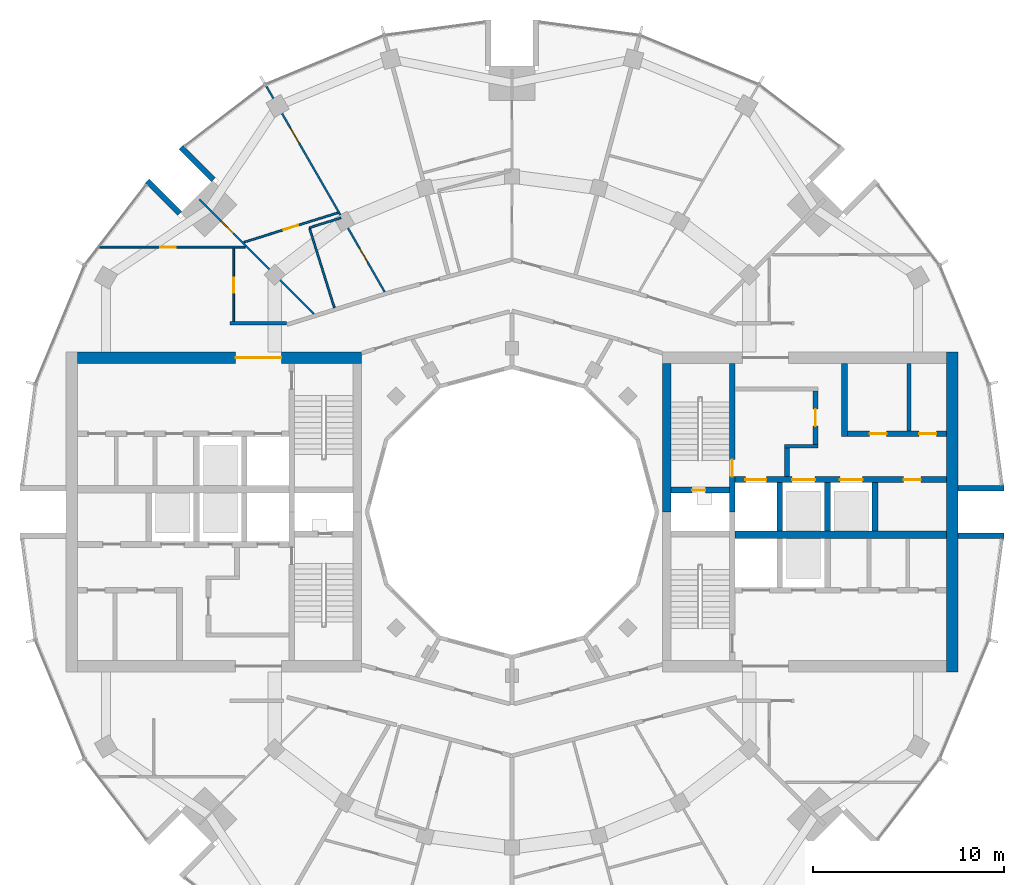
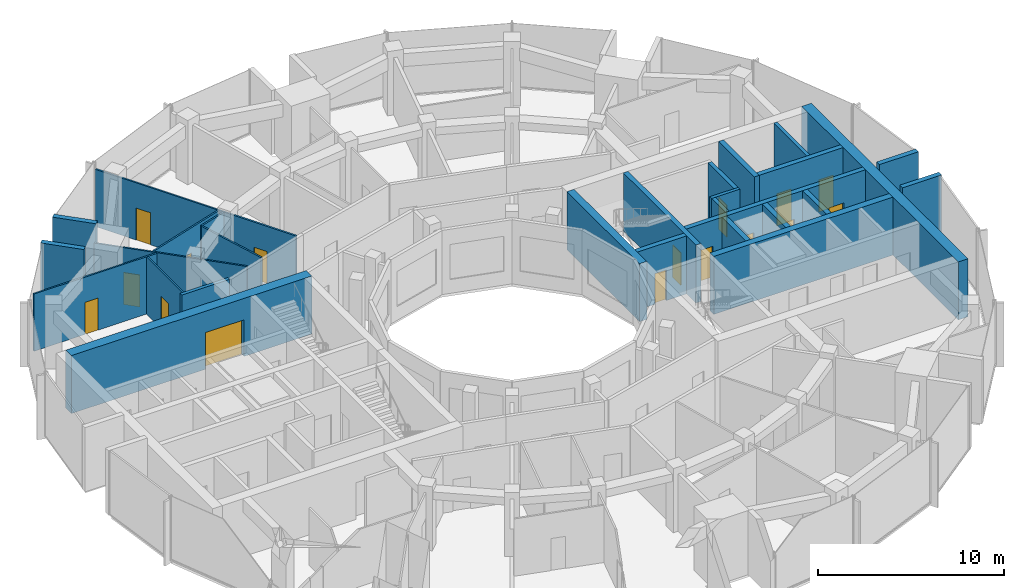
# One storey, part 11 of 15: 28 walls, 16 doors, 16 openings.
"""IFC4 building model written with IfcOpenShell, lengths in metres."""

from ifc_helpers import new_model, si_unit, direction, frame, frame_2d, origin, place, context, subcontext, project, spatial, rectangle, extrude, material, layer, layer_set, type_object, element, fill, save


model = new_model("IFC4")

# Units and contexts
model_context = context("Model", 3, precision=1e-05, world=origin(), true_north=direction((0.0, 1.0)))
body_context = subcontext(model_context, "Body", "Model", "MODEL_VIEW")
ifc_project = project(units=[si_unit("LENGTHUNIT", "METRE"), si_unit("AREAUNIT", "SQUARE_METRE"), si_unit("VOLUMEUNIT", "CUBIC_METRE"), si_unit("PLANEANGLEUNIT", "RADIAN"), si_unit("MASSUNIT", "GRAM", prefix="KILO")], contexts=[model_context])

# Site, building, storey
site_placement = place(None, origin())
site = spatial("IfcSite", under=ifc_project, at=site_placement, CompositionType="ELEMENT")
building_placement = place(site_placement, origin())
building = spatial("IfcBuilding", under=site, at=building_placement, Name="Torre Brocal", CompositionType="ELEMENT")
storey_placement = place(building_placement, frame((0.0, 0.0, 225.10009765625)))
storey = spatial("IfcBuildingStorey", under=building, at=storey_placement, Name="L52", CompositionType="ELEMENT", Elevation=225.10009765625)

# Walls
ifc_material_1 = material(Name="Masonry block", Category="masonry")
ifc_layer_1 = layer(ifc_material_1, 0.199951171875)
ifc_layer_set_1 = layer_set([ifc_layer_1], Name="Masonry block")
wall_type_1 = type_object("IfcWallType", Name="CORE PARTITION 200 UNDER 400 SLAB", PredefinedType="PARTITIONING", material=ifc_layer_set_1)
wall_1_placement = place(storey_placement, frame((100.823974609375, 79.25, 0.0), z_axis=(0.0, 0.0, 1.0), x_axis=(0.0, 1.0, 0.0)))
element("IfcWall", 1, at=wall_1_placement, inside=storey, type_object=wall_type_1, Name="Wall CP200-S400", PredefinedType="PARTITIONING", context=body_context, shape_type="SweptSolid", body=[
    extrude(rectangle(XDim=3.550048828125, YDim=0.199951171875, at=frame_2d((1.77490234375, 0.0))), origin(), (0.0, 0.0, 1.0), 3.7998046875),
])
ifc_material_2 = material(Name="Concrete C60", Category="concrete")
ifc_layer_2 = layer(ifc_material_2, 0.199951171875)
ifc_layer_set_2 = layer_set([ifc_layer_2], Name="Concrete C60")
wall_type_2 = type_object("IfcWallType", Name="CORE WALL 200 C60 UNDER 400 SLAB", PredefinedType="SHEAR", material=ifc_layer_set_2)
wall_2_placement = place(storey_placement, frame((94.300048828125, 78.449951171875, 0.0), z_axis=(0.0, 0.0, 1.0), x_axis=(1.0, 0.0, 0.0)))
element("IfcWall", 2, at=wall_2_placement, inside=storey, type_object=wall_type_2, Name="Wall CW200-60-S400", PredefinedType="SHEAR", context=body_context, shape_type="SweptSolid", body=[
    extrude(rectangle(XDim=1.75, YDim=0.199951171875, at=frame_2d((0.875, 0.0))), origin(), (0.0, 0.0, 1.0), 3.7998046875),
])

# Wall, opening, door
ifc_material_3 = material(Name="Concrete C60", Category="concrete")
ifc_layer_3 = layer(ifc_material_3, 0.25)
ifc_layer_set_3 = layer_set([ifc_layer_3], Name="Concrete C60")
wall_type_3 = type_object("IfcWallType", Name="CORE WALL 250 C60 UNDER 400 SLAB", PredefinedType="SHEAR", material=ifc_layer_set_3)
wall_3_placement = place(storey_placement, frame((95.925048828125, 78.550048828125, 0.0), z_axis=(0.0, 0.0, 1.0), x_axis=(0.0, 1.0, 0.0)))
wall_3 = element("IfcWall", 3, at=wall_3_placement, inside=storey, type_object=wall_type_3, Name="Wall CW250-60-S400", PredefinedType="SHEAR", context=body_context, shape_type="SweptSolid", body=[
    extrude(rectangle(XDim=2.800048828125, YDim=0.25, at=frame_2d((1.39990234375, 0.0))), origin(), (0.0, 0.0, 1.0), 3.7998046875),
])
opening_1_placement = place(wall_3_placement, frame((0.949951171875, 0.0, 0.0)))
opening_1 = element("IfcOpeningElement", 4, at=opening_1_placement, cuts=wall_3, Name="Opening E-D08", PredefinedType="OPENING", context=body_context, shape_type="SweptSolid", body=[
    extrude(rectangle(XDim=0.89990234375, YDim=2.10009765625, at=frame_2d((0.449951171875, 1.050048828125))), frame((0.0, 0.135009765625, 0.0), z_axis=(0.0, -1.0, 0.0), x_axis=(1.0, 0.0, 0.0)), (0.0, 0.0, 1.0), 0.27001953125),
])
ifc_material_4 = material(Name="Steel A653", Category="steel")
door_type_1 = type_object("IfcDoorType", Name="LOBBY DOOR FD120 900X2100", OperationType="SINGLE_SWING_RIGHT", PredefinedType="DOOR", material=ifc_material_4)
door_1_placement = place(opening_1_placement, origin())
door_1 = element("IfcDoor", 5, at=door_1_placement, inside=storey, type_object=door_type_1, Name="Door E-D08", OperationType="SINGLE_SWING_LEFT", OverallHeight=2.10009765625, OverallWidth=0.89990234375, PredefinedType="DOOR", context=body_context, shape_type="SweptSolid", body=[
    extrude(rectangle(XDim=0.89990234375, YDim=2.10009765625, at=frame_2d((0.449951171875, 1.050048828125))), frame((0.0, 0.02490234375, 0.0), z_axis=(0.0, -1.0, 0.0), x_axis=(1.0, 0.0, 0.0)), (0.0, 0.0, 1.0), 0.050048828125),
])
fill(opening_1, door_1)

# Wall
wall_4_placement = place(storey_placement, frame((94.425048828125, 76.85009765625, 0.0), z_axis=(0.0, 0.0, 1.0), x_axis=(0.0, 1.0, 0.0)))
element("IfcWall", 6, at=wall_4_placement, inside=storey, type_object=wall_type_3, Name="Wall CW250-60-S400", PredefinedType="SHEAR", context=body_context, shape_type="SweptSolid", body=[
    extrude(rectangle(XDim=1.5, YDim=0.25, at=frame_2d((0.75, 0.0))), origin(), (0.0, 0.0, 1.0), 3.7998046875),
])

# Wall, opening, door
ifc_material_5 = material(Name="Concrete C60", Category="concrete")
ifc_layer_4 = layer(ifc_material_5, 0.300048828125)
ifc_layer_set_4 = layer_set([ifc_layer_4], Name="Concrete C60")
wall_type_4 = type_object("IfcWallType", Name="CORE WALL 300 C60 UNDER 400 SLAB", PredefinedType="SHEAR", material=ifc_layer_set_4)
wall_5_placement = place(storey_placement, frame((91.550048828125, 75.0, 0.0), z_axis=(0.0, 0.0, 1.0), x_axis=(0.0, 1.0, 0.0)))
wall_5 = element("IfcWall", 7, at=wall_5_placement, inside=storey, type_object=wall_type_4, Name="Wall CW300-60-S400", PredefinedType="SHEAR", context=body_context, shape_type="SweptSolid", body=[
    extrude(rectangle(XDim=7.800048828125, YDim=0.300048828125, at=frame_2d((3.89990234375, 0.0))), origin(), (0.0, 0.0, 1.0), 3.7998046875),
])
opening_2_placement = place(wall_5_placement, frame((1.85009765625, 0.0, 0.0)))
opening_2 = element("IfcOpeningElement", 8, at=opening_2_placement, cuts=wall_5, Name="Opening E-D02", PredefinedType="OPENING", context=body_context, shape_type="SweptSolid", body=[
    extrude(rectangle(XDim=0.89990234375, YDim=2.10009765625, at=frame_2d((0.449951171875, 1.050048828125))), frame((0.0, 0.159912109375, 0.0), z_axis=(0.0, -1.0, 0.0), x_axis=(1.0, 0.0, 0.0)), (0.0, 0.0, 1.0), 0.320068359375),
])
ifc_material_6 = material(Name="Steel A653", Category="steel")
door_type_2 = type_object("IfcDoorType", Name="STAIR DOOR FD120 900X2100", OperationType="SINGLE_SWING_RIGHT", PredefinedType="DOOR", material=ifc_material_6)
door_2_placement = place(opening_2_placement, origin())
door_2 = element("IfcDoor", 9, at=door_2_placement, inside=storey, type_object=door_type_2, Name="Door E-D02", OperationType="SINGLE_SWING_LEFT", OverallHeight=2.10009765625, OverallWidth=0.89990234375, PredefinedType="DOOR", context=body_context, shape_type="SweptSolid", body=[
    extrude(rectangle(XDim=0.89990234375, YDim=2.10009765625, at=frame_2d((0.449951171875, 1.050048828125))), frame((0.0, 0.02490234375, 0.0), z_axis=(0.0, -1.0, 0.0), x_axis=(1.0, 0.0, 0.0)), (0.0, 0.0, 1.0), 0.050048828125),
])
fill(opening_2, door_2)

wall_6_placement = place(storey_placement, frame((88.35009765625, 76.14990234375, 0.0), z_axis=(0.0, 0.0, 1.0), x_axis=(1.0, 0.0, 0.0)))
wall_6 = element("IfcWall", 10, at=wall_6_placement, inside=storey, type_object=wall_type_4, Name="Wall CW300-60-S400", PredefinedType="SHEAR", context=body_context, shape_type="SweptSolid", body=[
    extrude(rectangle(XDim=3.0498046875, YDim=0.300048828125, at=frame_2d((1.52490234375, 0.0))), origin(), (0.0, 0.0, 1.0), 3.7998046875),
])
opening_3_placement = place(wall_6_placement, frame((1.10009765625, 0.0, 0.0)))
opening_3 = element("IfcOpeningElement", 11, at=opening_3_placement, cuts=wall_6, Name="Opening E-D01", PredefinedType="OPENING", context=body_context, shape_type="SweptSolid", body=[
    extrude(rectangle(XDim=0.699951171875, YDim=2.0, at=frame_2d((0.35009765625, 1.0))), frame((0.0, 0.159912109375, 0.0), z_axis=(0.0, -1.0, 0.0), x_axis=(1.0, 0.0, 0.0)), (0.0, 0.0, 1.0), 0.320068359375),
])
ifc_material_7 = material(Name="Steel A653", Category="steel")
door_type_3 = type_object("IfcDoorType", Name="RISER DOOR FD120 700X2000", OperationType="SINGLE_SWING_LEFT", PredefinedType="DOOR", material=ifc_material_7)
door_3_placement = place(opening_3_placement, frame((0.699951171875, 0.0, 0.0), z_axis=(0.0, 0.0, 1.0), x_axis=(-1.0, 0.0, 0.0)))
door_3 = element("IfcDoor", 12, at=door_3_placement, inside=storey, type_object=door_type_3, Name="Door E-D01", OperationType="SINGLE_SWING_RIGHT", OverallHeight=2.0, OverallWidth=0.699951171875, PredefinedType="DOOR", context=body_context, shape_type="SweptSolid", body=[
    extrude(rectangle(XDim=0.699951171875, YDim=2.0, at=frame_2d((0.35009765625, 1.0))), frame((0.0, 0.02490234375, 0.0), z_axis=(0.0, -1.0, 0.0), x_axis=(1.0, 0.0, 0.0)), (0.0, 0.0, 1.0), 0.050048828125),
])
fill(opening_3, door_3)

# Wall, openings, doors
wall_7_placement = place(storey_placement, frame((91.699951171875, 76.699951171875, 0.0), z_axis=(0.0, 0.0, 1.0), x_axis=(1.0, 0.0, 0.0)))
wall_7 = element("IfcWall", 13, at=wall_7_placement, inside=storey, type_object=wall_type_4, Name="Wall CW300-60-S400", PredefinedType="SHEAR", context=body_context, shape_type="SweptSolid", body=[
    extrude(rectangle(XDim=11.10009765625, YDim=0.300048828125, at=frame_2d((5.550048828125, 0.0))), origin(), (0.0, 0.0, 1.0), 3.7998046875),
])
opening_4_placement = place(wall_7_placement, frame((0.550048828125, 0.0, 0.0)))
opening_4 = element("IfcOpeningElement", 14, at=opening_4_placement, cuts=wall_7, Name="Opening LD", PredefinedType="OPENING", context=body_context, shape_type="SweptSolid", body=[
    extrude(rectangle(XDim=1.10009765625, YDim=2.10009765625, at=frame_2d((0.550048828125, 1.050048828125))), frame((0.0, 0.159912109375, 0.0), z_axis=(0.0, -1.0, 0.0), x_axis=(1.0, 0.0, 0.0)), (0.0, 0.0, 1.0), 0.320068359375),
])
opening_5_placement = place(wall_7_placement, frame((3.0, 0.0, 0.0)))
opening_5 = element("IfcOpeningElement", 15, at=opening_5_placement, cuts=wall_7, Name="Opening LD12", PredefinedType="OPENING", context=body_context, shape_type="SweptSolid", body=[
    extrude(rectangle(XDim=1.199951171875, YDim=2.10009765625, at=frame_2d((0.60009765625, 1.050048828125))), frame((0.0, 0.159912109375, 0.0), z_axis=(0.0, -1.0, 0.0), x_axis=(1.0, 0.0, 0.0)), (0.0, 0.0, 1.0), 0.320068359375),
])
opening_6_placement = place(wall_7_placement, frame((5.5, 0.0, 0.0)))
opening_6 = element("IfcOpeningElement", 16, at=opening_6_placement, cuts=wall_7, Name="Opening LD12", PredefinedType="OPENING", context=body_context, shape_type="SweptSolid", body=[
    extrude(rectangle(XDim=1.199951171875, YDim=2.10009765625, at=frame_2d((0.60009765625, 1.050048828125))), frame((0.0, 0.159912109375, 0.0), z_axis=(0.0, -1.0, 0.0), x_axis=(1.0, 0.0, 0.0)), (0.0, 0.0, 1.0), 0.320068359375),
])
opening_7_placement = place(wall_7_placement, frame((8.85009765625, 0.0, 0.0)))
opening_7 = element("IfcOpeningElement", 17, at=opening_7_placement, cuts=wall_7, Name="Opening E-D04", PredefinedType="OPENING", context=body_context, shape_type="SweptSolid", body=[
    extrude(rectangle(XDim=0.89990234375, YDim=2.10009765625, at=frame_2d((0.449951171875, 1.050048828125))), frame((0.0, 0.159912109375, 0.0), z_axis=(0.0, -1.0, 0.0), x_axis=(1.0, 0.0, 0.0)), (0.0, 0.0, 1.0), 0.320068359375),
])
ifc_material_8 = material(Name="Stainless steel AISI 316", Category="steel")
door_type_4 = type_object("IfcDoorType", Name="LIFT LANDING DOOR 1100X2100", OperationType="DOUBLE_DOOR_SLIDING", PredefinedType="DOOR", material=ifc_material_8)
door_4_placement = place(opening_4_placement, origin())
door_4 = element("IfcDoor", 18, at=door_4_placement, inside=storey, type_object=door_type_4, Name="Door LD", OperationType="DOUBLE_DOOR_SLIDING", OverallHeight=2.10009765625, OverallWidth=1.10009765625, PredefinedType="DOOR", context=body_context, shape_type="SweptSolid", body=[
    extrude(rectangle(XDim=1.10009765625, YDim=2.10009765625, at=frame_2d((0.550048828125, 1.050048828125))), frame((0.0, 0.02490234375, 0.0), z_axis=(0.0, -1.0, 0.0), x_axis=(1.0, 0.0, 0.0)), (0.0, 0.0, 1.0), 0.050048828125),
])
fill(opening_4, door_4)
ifc_material_9 = material(Name="Stainless steel AISI 316", Category="steel")
door_type_5 = type_object("IfcDoorType", Name="LIFT LANDING DOOR 1200X2100", OperationType="DOUBLE_DOOR_SLIDING", PredefinedType="DOOR", material=ifc_material_9)
door_5_placement = place(opening_5_placement, origin())
door_5 = element("IfcDoor", 19, at=door_5_placement, inside=storey, type_object=door_type_5, Name="Door LD12", OperationType="DOUBLE_DOOR_SLIDING", OverallHeight=2.10009765625, OverallWidth=1.199951171875, PredefinedType="DOOR", context=body_context, shape_type="SweptSolid", body=[
    extrude(rectangle(XDim=1.199951171875, YDim=2.10009765625, at=frame_2d((0.60009765625, 1.050048828125))), frame((0.0, 0.02490234375, 0.0), z_axis=(0.0, -1.0, 0.0), x_axis=(1.0, 0.0, 0.0)), (0.0, 0.0, 1.0), 0.050048828125),
])
fill(opening_5, door_5)
door_6_placement = place(opening_6_placement, origin())
door_6 = element("IfcDoor", 20, at=door_6_placement, inside=storey, type_object=door_type_5, Name="Door LD12", OperationType="DOUBLE_DOOR_SLIDING", OverallHeight=2.10009765625, OverallWidth=1.199951171875, PredefinedType="DOOR", context=body_context, shape_type="SweptSolid", body=[
    extrude(rectangle(XDim=1.199951171875, YDim=2.10009765625, at=frame_2d((0.60009765625, 1.050048828125))), frame((0.0, 0.02490234375, 0.0), z_axis=(0.0, -1.0, 0.0), x_axis=(1.0, 0.0, 0.0)), (0.0, 0.0, 1.0), 0.050048828125),
])
fill(opening_6, door_6)
ifc_material_10 = material(Name="Steel A653", Category="steel")
door_type_6 = type_object("IfcDoorType", Name="ROOM DOOR FD30S 900X2100", OperationType="SINGLE_SWING_LEFT", PredefinedType="DOOR", material=ifc_material_10)
door_7_placement = place(opening_7_placement, frame((0.89990234375, 0.0, 0.0), z_axis=(0.0, 0.0, 1.0), x_axis=(-1.0, 0.0, 0.0)))
door_7 = element("IfcDoor", 21, at=door_7_placement, inside=storey, type_object=door_type_6, Name="Door E-D04", OperationType="SINGLE_SWING_LEFT", OverallHeight=2.10009765625, OverallWidth=0.89990234375, PredefinedType="DOOR", context=body_context, shape_type="SweptSolid", body=[
    extrude(rectangle(XDim=0.89990234375, YDim=2.10009765625, at=frame_2d((0.449951171875, 1.050048828125))), frame((0.0, 0.02490234375, 0.0), z_axis=(0.0, -1.0, 0.0), x_axis=(1.0, 0.0, 0.0)), (0.0, 0.0, 1.0), 0.050048828125),
])
fill(opening_7, door_7)

# Walls
for number, where, z_axis, x_axis, name in (
    (22, (94.050048828125, 74.0, 0.0), (0.0, 0.0, 1.0), (0.0, 1.0, 0.0), "Wall CW300-60-S400"),
    (23, (96.550048828125, 74.0, 0.0), (0.0, 0.0, 1.0), (0.0, 1.0, 0.0), "Wall CW300-60-S400"),
    (24, (99.050048828125, 74.0, 0.0), (0.0, 0.0, 1.0), (0.0, 1.0, 0.0), "Wall CW300-60-S400"),
):
    element("IfcWall", number, at=place(storey_placement, frame(where, z_axis=z_axis, x_axis=x_axis)), inside=storey, type_object=wall_type_4, Name=name, PredefinedType="SHEAR", context=body_context, shape_type="SweptSolid", body=[
        extrude(rectangle(XDim=2.550048828125, YDim=0.300048828125, at=frame_2d((1.27490234375, 0.0))), origin(), (0.0, 0.0, 1.0), 3.7998046875),
    ])
wall_8_placement = place(storey_placement, frame((97.449951171875, 78.949951171875, 0.0), z_axis=(0.0, 0.0, 1.0), x_axis=(0.0, 1.0, 0.0)))
element("IfcWall", 25, at=wall_8_placement, inside=storey, type_object=wall_type_4, Name="Wall CW300-60-S400", PredefinedType="SHEAR", context=body_context, shape_type="SweptSolid", body=[
    extrude(rectangle(XDim=3.85009765625, YDim=0.300048828125, at=frame_2d((1.925048828125, 0.0))), origin(), (0.0, 0.0, 1.0), 3.7998046875),
])

# Wall, openings, doors
wall_9_placement = place(storey_placement, frame((97.60009765625, 79.10009765625, 0.0), z_axis=(0.0, 0.0, 1.0), x_axis=(1.0, 0.0, 0.0)))
wall_9 = element("IfcWall", 26, at=wall_9_placement, inside=storey, type_object=wall_type_4, Name="Wall CW300-60-S400", PredefinedType="SHEAR", context=body_context, shape_type="SweptSolid", body=[
    extrude(rectangle(XDim=5.199951171875, YDim=0.300048828125, at=frame_2d((2.60009765625, 0.0))), origin(), (0.0, 0.0, 1.0), 3.7998046875),
])
opening_8_placement = place(wall_9_placement, frame((1.162109375, 0.0, 0.0)))
opening_8 = element("IfcOpeningElement", 27, at=opening_8_placement, cuts=wall_9, Name="Opening E-D09", PredefinedType="OPENING", context=body_context, shape_type="SweptSolid", body=[
    extrude(rectangle(XDim=0.89990234375, YDim=2.10009765625, at=frame_2d((0.449951171875, 1.050048828125))), frame((0.0, 0.159912109375, 0.0), z_axis=(0.0, -1.0, 0.0), x_axis=(1.0, 0.0, 0.0)), (0.0, 0.0, 1.0), 0.320068359375),
])
opening_9_placement = place(wall_9_placement, frame((3.761962890625, 0.0, 0.0)))
opening_9 = element("IfcOpeningElement", 28, at=opening_9_placement, cuts=wall_9, Name="Opening E-D10", PredefinedType="OPENING", context=body_context, shape_type="SweptSolid", body=[
    extrude(rectangle(XDim=0.89990234375, YDim=2.10009765625, at=frame_2d((0.449951171875, 1.050048828125))), frame((0.0, 0.159912109375, 0.0), z_axis=(0.0, -1.0, 0.0), x_axis=(1.0, 0.0, 0.0)), (0.0, 0.0, 1.0), 0.320068359375),
])
door_8_placement = place(opening_8_placement, origin())
door_8 = element("IfcDoor", 29, at=door_8_placement, inside=storey, type_object=door_type_6, Name="Door E-D09", OperationType="SINGLE_SWING_RIGHT", OverallHeight=2.10009765625, OverallWidth=0.89990234375, PredefinedType="DOOR", context=body_context, shape_type="SweptSolid", body=[
    extrude(rectangle(XDim=0.89990234375, YDim=2.10009765625, at=frame_2d((0.449951171875, 1.050048828125))), frame((0.0, 0.02490234375, 0.0), z_axis=(0.0, -1.0, 0.0), x_axis=(1.0, 0.0, 0.0)), (0.0, 0.0, 1.0), 0.050048828125),
])
fill(opening_8, door_8)
door_9_placement = place(opening_9_placement, origin())
door_9 = element("IfcDoor", 30, at=door_9_placement, inside=storey, type_object=door_type_6, Name="Door E-D10", OperationType="SINGLE_SWING_LEFT", OverallHeight=2.10009765625, OverallWidth=0.89990234375, PredefinedType="DOOR", context=body_context, shape_type="SweptSolid", body=[
    extrude(rectangle(XDim=0.89990234375, YDim=2.10009765625, at=frame_2d((0.449951171875, 1.050048828125))), frame((0.0, 0.02490234375, 0.0), z_axis=(0.0, -1.0, 0.0), x_axis=(1.0, 0.0, 0.0)), (0.0, 0.0, 1.0), 0.050048828125),
])
fill(opening_9, door_9)

# Walls
ifc_material_11 = material(Name="Concrete C60", Category="concrete")
ifc_layer_5 = layer(ifc_material_11, 0.39990234375)
ifc_layer_set_5 = layer_set([ifc_layer_5], Name="Concrete C60")
wall_type_5 = type_object("IfcWallType", Name="CORE WALL 400 C60 UNDER 400 SLAB", PredefinedType="SHEAR", material=ifc_layer_set_5)
wall_10_placement = place(storey_placement, frame((91.699951171875, 73.800048828125, 0.0), z_axis=(0.0, 0.0, 1.0), x_axis=(1.0, 0.0, 0.0)))
element("IfcWall", 31, at=wall_10_placement, inside=storey, type_object=wall_type_5, Name="Wall CW400-60-S400", PredefinedType="SHEAR", context=body_context, shape_type="SweptSolid", body=[
    extrude(rectangle(XDim=11.10009765625, YDim=0.39990234375, at=frame_2d((5.550048828125, 0.0))), origin(), (0.0, 0.0, 1.0), 3.7998046875),
])
ifc_material_12 = material(Name="Concrete C60", Category="concrete")
ifc_layer_6 = layer(ifc_material_12, 0.449951171875)
ifc_layer_set_6 = layer_set([ifc_layer_6], Name="Concrete C60")
wall_type_6 = type_object("IfcWallType", Name="CORE WALL 450 C60 UNDER 400 SLAB", PredefinedType="SHEAR", material=ifc_layer_set_6)
wall_11_placement = place(storey_placement, frame((88.125, 75.0, 0.0), z_axis=(0.0, 0.0, 1.0), x_axis=(0.0, 1.0, 0.0)))
element("IfcWall", 32, at=wall_11_placement, inside=storey, type_object=wall_type_6, Name="Wall CW450-60-S400", PredefinedType="SHEAR", context=body_context, shape_type="SweptSolid", body=[
    extrude(rectangle(XDim=7.800048828125, YDim=0.449951171875, at=frame_2d((3.89990234375, 0.0))), origin(), (0.0, 0.0, 1.0), 3.7998046875),
])
ifc_material_13 = material(Name="Concrete C60", Category="concrete")
ifc_layer_7 = layer(ifc_material_13, 0.60009765625)
ifc_layer_set_7 = layer_set([ifc_layer_7], Name="Concrete C60")
wall_type_7 = type_object("IfcWallType", Name="CORE WALL 600 C60 UNDER 400 SLAB", PredefinedType="SHEAR", material=ifc_layer_set_7)
wall_12_placement = place(storey_placement, frame((103.10009765625, 66.60009765625, 0.0), z_axis=(0.0, 0.0, 1.0), x_axis=(0.0, 1.0, 0.0)))
element("IfcWall", 33, at=wall_12_placement, inside=storey, type_object=wall_type_7, Name="Wall CW600-60-S400", PredefinedType="SHEAR", context=body_context, shape_type="SweptSolid", body=[
    extrude(rectangle(XDim=16.7998046875, YDim=0.60009765625, at=frame_2d((8.39990234375, 0.0))), origin(), (0.0, 0.0, 1.0), 3.7998046875),
])

# Wall, opening, door
wall_13_placement = place(storey_placement, frame((72.10009765625, 83.10009765625, 0.0), z_axis=(0.0, 0.0, 1.0), x_axis=(-1.0, 0.0, 0.0)))
wall_13 = element("IfcWall", 34, at=wall_13_placement, inside=storey, type_object=wall_type_7, Name="Wall CW600-60-S400", PredefinedType="SHEAR", context=body_context, shape_type="SweptSolid", body=[
    extrude(rectangle(XDim=14.900146484375, YDim=0.60009765625, at=frame_2d((7.4501953125, 0.0))), origin(), (0.0, 0.0, 1.0), 3.7998046875),
])
opening_10_placement = place(wall_13_placement, frame((4.199951171875, 0.0, 0.0)))
opening_10 = element("IfcOpeningElement", 35, at=opening_10_placement, cuts=wall_13, Name="Opening W-D12", PredefinedType="OPENING", context=body_context, shape_type="SweptSolid", body=[
    extrude(rectangle(XDim=2.39990234375, YDim=2.39990234375, at=frame_2d((1.199951171875, 1.199951171875))), frame((0.0, 0.31005859375, 0.0), z_axis=(0.0, -1.0, 0.0), x_axis=(1.0, 0.0, 0.0)), (0.0, 0.0, 1.0), 0.6201171875),
])
ifc_material_14 = material(Name="Steel A653", Category="steel")
door_type_7 = type_object("IfcDoorType", Name="DOUBLE FIRE DOOR FD90 2400X2400", OperationType="DOUBLE_DOOR_SINGLE_SWING", PredefinedType="DOOR", material=ifc_material_14)
door_10_placement = place(opening_10_placement, origin())
door_10 = element("IfcDoor", 36, at=door_10_placement, inside=storey, type_object=door_type_7, Name="Door W-D12", OperationType="DOUBLE_DOOR_SINGLE_SWING", OverallHeight=2.39990234375, OverallWidth=2.39990234375, PredefinedType="DOOR", context=body_context, shape_type="SweptSolid", body=[
    extrude(rectangle(XDim=2.39990234375, YDim=2.39990234375, at=frame_2d((1.199951171875, 1.199951171875))), frame((0.0, 0.02490234375, 0.0), z_axis=(0.0, -1.0, 0.0), x_axis=(1.0, 0.0, 0.0)), (0.0, 0.0, 1.0), 0.050048828125),
])
fill(opening_10, door_10)

# Walls
ifc_material_15 = material(Name="Concrete C60", Category="concrete")
ifc_layer_8 = layer(ifc_material_15, 0.300048828125)
ifc_layer_set_8 = layer_set([ifc_layer_8], Name="Concrete C60")
wall_type_8 = type_object("IfcWallType", Name="NOTCH RETURN WALL 300 C60", PredefinedType="NOTDEFINED", material=ifc_layer_set_8)
for number, where, z_axis, x_axis, name in (
    (37, (103.39990234375, 73.75, 0.0), (0.0, 0.0, 1.0), (1.0, 0.0, 0.0), "NOTCH RETURN WALL"),
    (38, (103.39990234375, 76.25, 0.0), (0.0, 0.0, 1.0), (1.0, 0.0, 0.0), "NOTCH RETURN WALL"),
    (39, (64.337646484375, 92.43017578125, 0.0), (0.0, 0.0, 1.0), (-0.707106781187, 0.707106781187, 0.0), "NOTCH RETURN WALL"),
    (40, (62.56982421875, 90.662353515625, 0.0), (0.0, 0.0, 1.0), (-0.707106781187, 0.707106781187, 0.0), "NOTCH RETURN WALL"),
):
    element("IfcWall", number, at=place(storey_placement, frame(where, z_axis=z_axis, x_axis=x_axis)), inside=storey, type_object=wall_type_8, Name=name, PredefinedType="NOTDEFINED", context=body_context, shape_type="SweptSolid", body=[
        extrude(rectangle(XDim=2.415771484375, YDim=0.300048828125, at=frame_2d((1.2080078125, 0.0))), origin(), (0.0, 0.0, 1.0), 4.199951171875),
    ])

# Wall, opening, door
ifc_material_16 = material(Name="Gypsum board", Category="Gypsum")
ifc_layer_9 = layer(ifc_material_16, 0.10009765625)
ifc_layer_set_9 = layer_set([ifc_layer_9], Name="Gypsum board")
wall_type_9 = type_object("IfcWallType", Name="PARTITION 100", PredefinedType="PARTITIONING", material=ifc_layer_set_9)
wall_14_placement = place(storey_placement, frame((58.37890625, 88.89990234375, 0.0), z_axis=(0.0, 0.0, 1.0), x_axis=(1.0, 0.0, 0.0)))
wall_14 = element("IfcWall", 41, at=wall_14_placement, inside=storey, type_object=wall_type_9, Name="BATHROOM WALL", PredefinedType="PARTITIONING", context=body_context, shape_type="SweptSolid", body=[
    extrude(rectangle(XDim=7.612060546875, YDim=0.10009765625, at=frame_2d((3.80615234375, 0.0))), origin(), (0.0, 0.0, 1.0), 3.75),
])
opening_11_placement = place(wall_14_placement, frame((3.175537109375, 0.0, 0.0)))
opening_11 = element("IfcOpeningElement", 42, at=opening_11_placement, cuts=wall_14, Name="Opening B02-D17", PredefinedType="OPENING", context=body_context, shape_type="SweptSolid", body=[
    extrude(rectangle(XDim=0.800048828125, YDim=2.10009765625, at=frame_2d((0.39990234375, 1.050048828125))), frame((0.0, 0.06005859375, 0.0), z_axis=(0.0, -1.0, 0.0), x_axis=(1.0, 0.0, 0.0)), (0.0, 0.0, 1.0), 0.1201171875),
])
ifc_material_17 = material(Name="Timber", Category="wood")
door_type_8 = type_object("IfcDoorType", Name="BATHROOM DOOR 800X2100", OperationType="SINGLE_SWING_LEFT", PredefinedType="DOOR", material=ifc_material_17)
door_11_placement = place(opening_11_placement, origin())
door_11 = element("IfcDoor", 43, at=door_11_placement, inside=storey, type_object=door_type_8, Name="B02-D17", OperationType="SINGLE_SWING_LEFT", OverallHeight=2.10009765625, OverallWidth=0.800048828125, PredefinedType="DOOR", context=body_context, shape_type="SweptSolid", body=[
    extrude(rectangle(XDim=0.800048828125, YDim=2.10009765625, at=frame_2d((0.39990234375, 1.050048828125))), frame((0.0, 0.02490234375, 0.0), z_axis=(0.0, -1.0, 0.0), x_axis=(1.0, 0.0, 0.0)), (0.0, 0.0, 1.0), 0.050048828125),
])
fill(opening_11, door_11)

wall_15_placement = place(storey_placement, frame((63.595947265625, 91.405517578125, 0.0), z_axis=(0.0, 0.0, 1.0), x_axis=(0.70700623685, -0.707207311228, 0.0)))
wall_15 = element("IfcWall", 44, at=wall_15_placement, inside=storey, type_object=wall_type_9, Name="BATHROOM WALL", PredefinedType="PARTITIONING", context=body_context, shape_type="SweptSolid", body=[
    extrude(rectangle(XDim=8.499267578125, YDim=0.10009765625, at=frame_2d((4.24951171875, 0.0))), origin(), (0.0, 0.0, 1.0), 3.75),
])
opening_12_placement = place(wall_15_placement, frame((1.6318359375, 0.0, 0.0)))
opening_12 = element("IfcOpeningElement", 45, at=opening_12_placement, cuts=wall_15, Name="Opening B02-D15", PredefinedType="OPENING", context=body_context, shape_type="SweptSolid", body=[
    extrude(rectangle(XDim=0.89990234375, YDim=2.10009765625, at=frame_2d((0.449951171875, 1.050048828125))), frame((0.0, 0.06005859375, 0.0), z_axis=(0.0, -1.0, 0.0), x_axis=(1.0, 0.0, 0.0)), (0.0, 0.0, 1.0), 0.1201171875),
])
ifc_material_18 = material(Name="Timber", Category="wood")
door_type_9 = type_object("IfcDoorType", Name="ROOM DOOR 900X2100", OperationType="SINGLE_SWING_LEFT", PredefinedType="DOOR", material=ifc_material_18)
door_12_placement = place(opening_12_placement, frame((0.89990234375, 0.0, 0.0), z_axis=(0.0, 0.0, 1.0), x_axis=(-1.0, 0.0, 0.0)))
door_12 = element("IfcDoor", 46, at=door_12_placement, inside=storey, type_object=door_type_9, Name="B02-D15", OperationType="SINGLE_SWING_LEFT", OverallHeight=2.10009765625, OverallWidth=0.89990234375, PredefinedType="DOOR", context=body_context, shape_type="SweptSolid", body=[
    extrude(rectangle(XDim=0.89990234375, YDim=2.10009765625, at=frame_2d((0.449951171875, 1.050048828125))), frame((0.0, 0.02490234375, 0.0), z_axis=(0.0, -1.0, 0.0), x_axis=(1.0, 0.0, 0.0)), (0.0, 0.0, 1.0), 0.050048828125),
])
fill(opening_12, door_12)

wall_16_placement = place(storey_placement, frame((65.39990234375, 85.0, 0.0), z_axis=(0.0, 0.0, 1.0), x_axis=(0.0, 1.0, 0.0)))
wall_16 = element("IfcWall", 47, at=wall_16_placement, inside=storey, type_object=wall_type_9, Name="BATHROOM WALL", PredefinedType="PARTITIONING", context=body_context, shape_type="SweptSolid", body=[
    extrude(rectangle(XDim=3.85009765625, YDim=0.10009765625, at=frame_2d((1.925048828125, 0.0))), origin(), (0.0, 0.0, 1.0), 3.75),
])
opening_13_placement = place(wall_16_placement, frame((1.5, 0.0, 0.0)))
opening_13 = element("IfcOpeningElement", 48, at=opening_13_placement, cuts=wall_16, Name="Opening B02-D16", PredefinedType="OPENING", context=body_context, shape_type="SweptSolid", body=[
    extrude(rectangle(XDim=0.800048828125, YDim=2.10009765625, at=frame_2d((0.39990234375, 1.050048828125))), frame((0.0, 0.06005859375, 0.0), z_axis=(0.0, -1.0, 0.0), x_axis=(1.0, 0.0, 0.0)), (0.0, 0.0, 1.0), 0.1201171875),
])
door_13_placement = place(opening_13_placement, frame((0.800048828125, 0.0, 0.0), z_axis=(0.0, 0.0, 1.0), x_axis=(-1.0, 0.0, 0.0)))
door_13 = element("IfcDoor", 49, at=door_13_placement, inside=storey, type_object=door_type_8, Name="B02-D16", OperationType="SINGLE_SWING_RIGHT", OverallHeight=2.10009765625, OverallWidth=0.800048828125, PredefinedType="DOOR", context=body_context, shape_type="SweptSolid", body=[
    extrude(rectangle(XDim=0.800048828125, YDim=2.10009765625, at=frame_2d((0.39990234375, 1.050048828125))), frame((0.0, 0.02490234375, 0.0), z_axis=(0.0, -1.0, 0.0), x_axis=(1.0, 0.0, 0.0)), (0.0, 0.0, 1.0), 0.050048828125),
])
fill(opening_13, door_13)

wall_17_placement = place(storey_placement, frame((65.9443359375, 89.156982421875, 0.0), z_axis=(0.0, 0.0, 1.0), x_axis=(0.954235485309, 0.299056246512, 0.0)))
wall_17 = element("IfcWall", 50, at=wall_17_placement, inside=storey, type_object=wall_type_9, Name="BATHROOM WALL", PredefinedType="PARTITIONING", context=body_context, shape_type="SweptSolid", body=[
    extrude(rectangle(XDim=5.159423828125, YDim=0.10009765625, at=frame_2d((2.57958984375, 0.0))), origin(), (0.0, 0.0, 1.0), 3.75),
])
opening_14_placement = place(wall_17_placement, frame((2.169921875, 0.0, 0.0)))
opening_14 = element("IfcOpeningElement", 51, at=opening_14_placement, cuts=wall_17, Name="Opening B02-D13", PredefinedType="OPENING", context=body_context, shape_type="SweptSolid", body=[
    extrude(rectangle(XDim=0.800048828125, YDim=2.10009765625, at=frame_2d((0.39990234375, 1.050048828125))), frame((0.0, 0.06005859375, 0.0), z_axis=(0.0, -1.0, 0.0), x_axis=(1.0, 0.0, 0.0)), (0.0, 0.0, 1.0), 0.1201171875),
])
door_14_placement = place(opening_14_placement, frame((0.800048828125, 0.0, 0.0), z_axis=(0.0, 0.0, 1.0), x_axis=(-1.0, 0.0, 0.0)))
door_14 = element("IfcDoor", 52, at=door_14_placement, inside=storey, type_object=door_type_8, Name="B02-D13", OperationType="SINGLE_SWING_LEFT", OverallHeight=2.10009765625, OverallWidth=0.800048828125, PredefinedType="DOOR", context=body_context, shape_type="SweptSolid", body=[
    extrude(rectangle(XDim=0.800048828125, YDim=2.10009765625, at=frame_2d((0.39990234375, 1.050048828125))), frame((0.0, 0.02490234375, 0.0), z_axis=(0.0, -1.0, 0.0), x_axis=(1.0, 0.0, 0.0)), (0.0, 0.0, 1.0), 0.050048828125),
])
fill(opening_14, door_14)

# Wall, openings, doors
wall_18_placement = place(storey_placement, frame((67.10888671875, 97.345703125, 0.0), z_axis=(0.0, 0.0, 1.0), x_axis=(0.498583439824, -0.866841711925, 0.0)))
wall_18 = element("IfcWall", 53, at=wall_18_placement, inside=storey, type_object=wall_type_9, Name="BATHROOM WALL", PredefinedType="PARTITIONING", context=body_context, shape_type="SweptSolid", body=[
    extrude(rectangle(XDim=12.455810546875, YDim=0.10009765625, at=frame_2d((6.22802734375, 0.0))), origin(), (0.0, 0.0, 1.0), 3.75),
])
opening_15_placement = place(wall_18_placement, frame((2.5380859375, 0.0, 0.0)))
opening_15 = element("IfcOpeningElement", 54, at=opening_15_placement, cuts=wall_18, Name="Opening B02-D12", PredefinedType="OPENING", context=body_context, shape_type="SweptSolid", body=[
    extrude(rectangle(XDim=0.89990234375, YDim=2.10009765625, at=frame_2d((0.449951171875, 1.050048828125))), frame((0.0, 0.06005859375, 0.0), z_axis=(0.0, -1.0, 0.0), x_axis=(1.0, 0.0, 0.0)), (0.0, 0.0, 1.0), 0.1201171875),
])
opening_16_placement = place(wall_18_placement, frame((9.85009765625, 0.0, 0.0)))
opening_16 = element("IfcOpeningElement", 55, at=opening_16_placement, cuts=wall_18, Name="Opening B02-D14", PredefinedType="OPENING", context=body_context, shape_type="SweptSolid", body=[
    extrude(rectangle(XDim=0.800048828125, YDim=2.10009765625, at=frame_2d((0.39990234375, 1.050048828125))), frame((0.0, 0.06005859375, 0.0), z_axis=(0.0, -1.0, 0.0), x_axis=(1.0, 0.0, 0.0)), (0.0, 0.0, 1.0), 0.1201171875),
])
door_15_placement = place(opening_16_placement, frame((0.800048828125, 0.0, 0.0), z_axis=(0.0, 0.0, 1.0), x_axis=(-1.0, 0.0, 0.0)))
door_15 = element("IfcDoor", 56, at=door_15_placement, inside=storey, type_object=door_type_8, Name="B02-D14", OperationType="SINGLE_SWING_LEFT", OverallHeight=2.10009765625, OverallWidth=0.800048828125, PredefinedType="DOOR", context=body_context, shape_type="SweptSolid", body=[
    extrude(rectangle(XDim=0.800048828125, YDim=2.10009765625, at=frame_2d((0.39990234375, 1.050048828125))), frame((0.0, 0.02490234375, 0.0), z_axis=(0.0, -1.0, 0.0), x_axis=(1.0, 0.0, 0.0)), (0.0, 0.0, 1.0), 0.050048828125),
])
fill(opening_16, door_15)
door_16_placement = place(opening_15_placement, frame((0.89990234375, 0.0, 0.0), z_axis=(0.0, 0.0, 1.0), x_axis=(-1.0, 0.0, 0.0)))
door_16 = element("IfcDoor", 57, at=door_16_placement, inside=storey, type_object=door_type_9, Name="B02-D12", OperationType="SINGLE_SWING_RIGHT", OverallHeight=2.10009765625, OverallWidth=0.89990234375, PredefinedType="DOOR", context=body_context, shape_type="SweptSolid", body=[
    extrude(rectangle(XDim=0.89990234375, YDim=2.10009765625, at=frame_2d((0.449951171875, 1.050048828125))), frame((0.0, 0.02490234375, 0.0), z_axis=(0.0, -1.0, 0.0), x_axis=(1.0, 0.0, 0.0)), (0.0, 0.0, 1.0), 0.050048828125),
])
fill(opening_15, door_16)

# Walls
wall_19_placement = place(storey_placement, frame((69.381103515625, 89.8671875, 0.0), z_axis=(0.0, 0.0, 1.0), x_axis=(0.29908659099, -0.954225974856, 0.0)))
element("IfcWall", 58, at=wall_19_placement, inside=storey, type_object=wall_type_9, Name="BATHROOM WALL", PredefinedType="PARTITIONING", context=body_context, shape_type="SweptSolid", body=[
    extrude(rectangle(XDim=4.35009765625, YDim=0.10009765625, at=frame_2d((2.175048828125, 0.0))), origin(), (0.0, 0.0, 1.0), 3.75),
])
wall_20_placement = place(storey_placement, frame((69.365966796875, 89.9150390625, 0.0), z_axis=(0.0, 0.0, 1.0), x_axis=(0.954163830168, 0.299284789457, 0.0)))
element("IfcWall", 59, at=wall_20_placement, inside=storey, type_object=wall_type_9, Name="BATHROOM WALL", PredefinedType="PARTITIONING", context=body_context, shape_type="SweptSolid", body=[
    extrude(rectangle(XDim=1.734375, YDim=0.10009765625, at=frame_2d((0.8671875, 0.0))), origin(), (0.0, 0.0, 1.0), 3.75),
])
ifc_material_19 = material(Name="Gypsum board", Category="Gypsum")
ifc_layer_10 = layer(ifc_material_19, 0.199951171875)
ifc_layer_set_10 = layer_set([ifc_layer_10], Name="Gypsum board")
wall_type_10 = type_object("IfcWallType", Name="PARTITION 200 EI60", PredefinedType="PARTITIONING", material=ifc_layer_set_10)
wall_21_placement = place(storey_placement, frame((65.199951171875, 84.89990234375, 0.0), z_axis=(0.0, 0.0, 1.0), x_axis=(1.0, 0.0, 0.0)))
element("IfcWall", 60, at=wall_21_placement, inside=storey, type_object=wall_type_10, Name="GUESTROOM CORRIDOR WALL", PredefinedType="PARTITIONING", context=body_context, shape_type="SweptSolid", body=[
    extrude(rectangle(XDim=2.969970703125, YDim=0.199951171875, at=frame_2d((1.48486328125, 0.0))), origin(), (0.0, 0.0, 1.0), 3.75),
])

save(model, "model.ifc")
